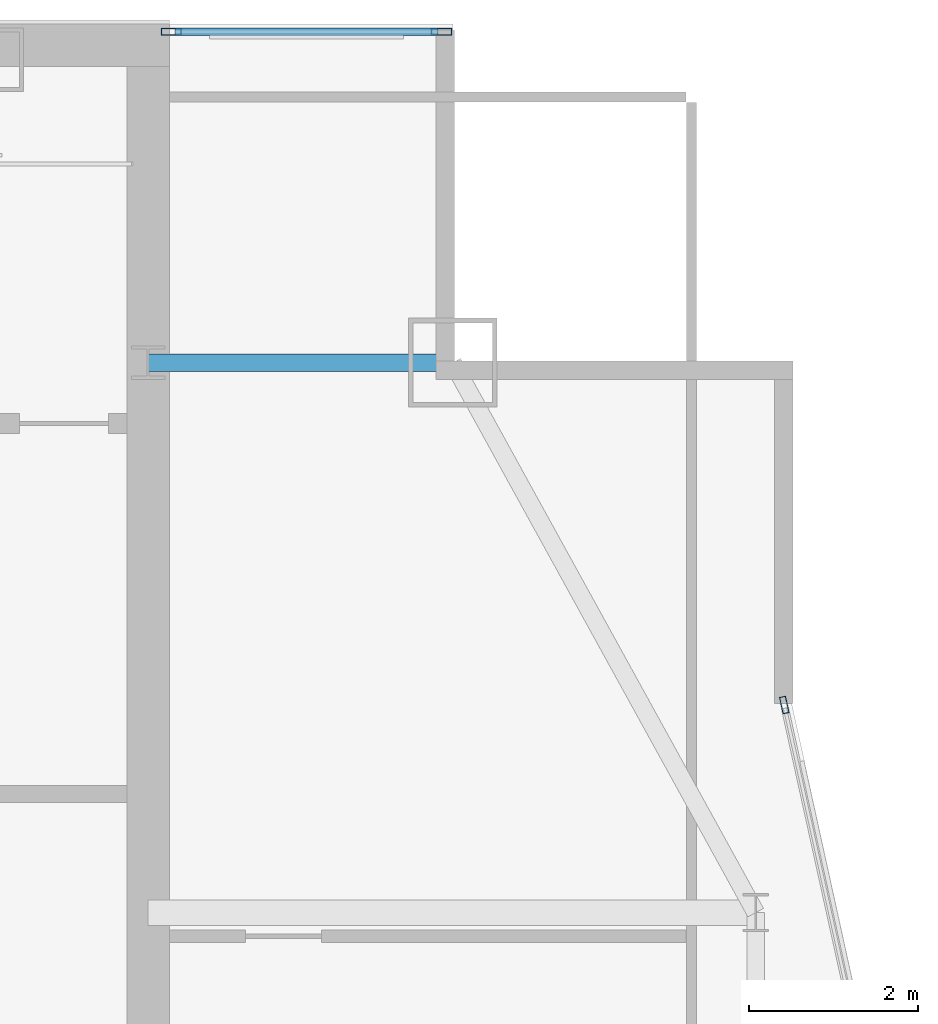
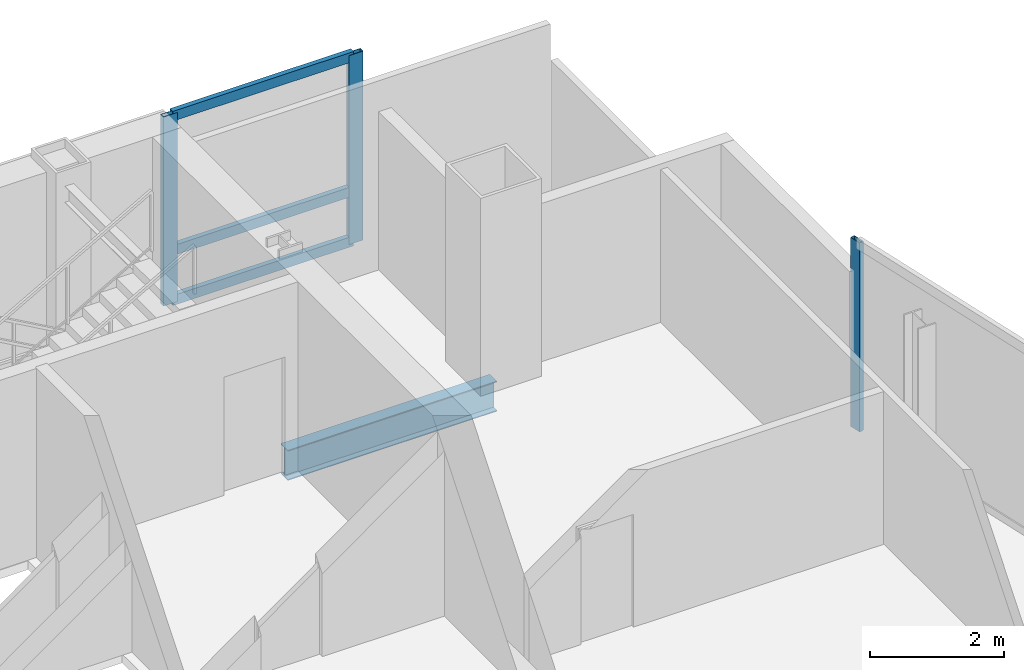
# One storey, part 23 of 30: 6 members, 1 beam, 2 elements without a shape of their own.
"""IFC4 building model written with IfcOpenShell, lengths in metres."""

from ifc_helpers import new_model, si_unit, direction, frame, origin, origin_2d, place, context, subcontext, project, spatial, hollow_rectangle, i_section, extrude, material, material_profile, profile_set, type_object, element, aggregate, save


model = new_model("IFC4")

# Units and contexts
model_context = context("Model", 3, precision=1e-05, world=origin(), true_north=direction((0.0, 1.0)))
body_context = subcontext(model_context, "Body", "Model", "MODEL_VIEW")
ifc_project = project(units=[si_unit("LENGTHUNIT", "METRE"), si_unit("AREAUNIT", "SQUARE_METRE"), si_unit("VOLUMEUNIT", "CUBIC_METRE"), si_unit("PLANEANGLEUNIT", "RADIAN"), si_unit("MASSUNIT", "GRAM", prefix="KILO")], contexts=[model_context])

# Site, building, storey
site_placement = place(None, origin())
site = spatial("IfcSite", under=ifc_project, at=site_placement, CompositionType="ELEMENT")
building_placement = place(site_placement, origin())
building = spatial("IfcBuilding", under=site, at=building_placement, Name="Khoronbel Lancet Exchange", CompositionType="ELEMENT")
storey_placement = place(building_placement, frame((0.0, 0.0, 269.800048828125)))
storey = spatial("IfcBuildingStorey", under=building, at=storey_placement, Name="L69", CompositionType="ELEMENT", Elevation=269.800048828125)

# Beam
ifc_material_1 = material(Name="Steel S355", Category="steel")
ifc_material_profile_1 = material_profile(ifc_material_1, i_section(OverallWidth=0.2099609375, OverallDepth=0.550048828125, WebThickness=0.010986328125, FlangeThickness=0.01708984375, at=origin_2d()), Name="IPE 550")
ifc_profile_set_1 = profile_set([ifc_material_profile_1], Name="Steel S355")
beam_type = type_object("IfcBeamType", Name="BM-BSP3", PredefinedType="SPANDREL", material=ifc_profile_set_1)
beam_placement = place(storey_placement, frame((60.050048828125, 49.699951171875, -0.43505859375), z_axis=(-1.0, 0.0, 0.0), x_axis=(0.0, -1.0, 0.0)))
element("IfcBeam", 1, at=beam_placement, inside=storey, type_object=beam_type, Name="Level L69 north flank tie spandrel SP23", PredefinedType="SPANDREL", context=body_context, shape_type="SweptSolid", body=[
    extrude(i_section(OverallWidth=0.2099609375, OverallDepth=0.550048828125, WebThickness=0.010986328125, FlangeThickness=0.01708984375, at=origin_2d()), origin(), (0.0, 0.0, 1.0), 3.60009765625),
])

# Curtain wall, members
ifc_material_2 = material(Name="Low-E Solar Control Insulating Glass", Category="glass")
curtain_wall_type_1 = type_object("IfcCurtainWallType", Name="CW-3", PredefinedType="NOTDEFINED", material=ifc_material_2)
curtain_wall_1_placement = place(storey_placement, origin())
curtain_wall_1 = element("IfcCurtainWall", 2, at=curtain_wall_1_placement, inside=storey, type_object=curtain_wall_type_1, Name="Unitised curtain wall CW-L69-NEFLK", PredefinedType="NOTDEFINED")
ifc_material_3 = material(Name="Bronze-Anodised Aluminium 6063-T6", Category="aluminium")
ifc_material_profile_2 = material_profile(ifc_material_3, hollow_rectangle(XDim=0.0849609375, YDim=0.239990234375, WallThickness=0.006103515625, at=origin_2d()), Name="ALU MULLION 85x240")
ifc_profile_set_2 = profile_set([ifc_material_profile_2], Name="Bronze-Anodised Aluminium 6063-T6")
member_type_1 = type_object("IfcMemberType", Name="MEM-CWM1", PredefinedType="MULLION", material=ifc_profile_set_2)
member_1_placement = place(storey_placement, frame((59.91748046875, 53.610107421875, 0.0), z_axis=(0.0, 0.0, 1.0), x_axis=(0.0, -1.0, 0.0)))
member_1 = element("IfcMember", 3, at=member_1_placement, type_object=member_type_1, Name="CW3 mullion 1", PredefinedType="MULLION", context=body_context, shape_type="SweptSolid", body=[
    extrude(hollow_rectangle(XDim=0.0849609375, YDim=0.239990234375, WallThickness=0.006103515625, at=origin_2d()), origin(), (0.0, 0.0, 1.0), 3.43994140625),
])
member_2_placement = place(storey_placement, frame((56.722412109375, 53.610107421875, 0.0), z_axis=(0.0, 0.0, 1.0), x_axis=(0.0, -1.0, 0.0)))
member_2 = element("IfcMember", 4, at=member_2_placement, type_object=member_type_1, Name="CW3 mullion 2", PredefinedType="MULLION", context=body_context, shape_type="SweptSolid", body=[
    extrude(hollow_rectangle(XDim=0.0849609375, YDim=0.239990234375, WallThickness=0.006103515625, at=origin_2d()), origin(), (0.0, 0.0, 1.0), 3.43994140625),
])

# Curtain wall, member
curtain_wall_type_2 = type_object("IfcCurtainWallType", Name="CW-4", PredefinedType="NOTDEFINED", material=ifc_material_2)
curtain_wall_2_placement = place(storey_placement, origin())
curtain_wall_2 = element("IfcCurtainWall", 5, at=curtain_wall_2_placement, inside=storey, type_object=curtain_wall_type_2, Name="Unitised curtain wall CW-L69-E17", PredefinedType="NOTDEFINED")
ifc_material_profile_3 = material_profile(ifc_material_3, hollow_rectangle(XDim=0.074951171875, YDim=0.199951171875, WallThickness=0.0048828125, at=origin_2d()), Name="ALU MULLION 75x200")
ifc_profile_set_3 = profile_set([ifc_material_profile_3], Name="Bronze-Anodised Aluminium 6063-T6")
member_type_2 = type_object("IfcMemberType", Name="MEM-CWM2", PredefinedType="MULLION", material=ifc_profile_set_3)
member_3_placement = place(storey_placement, frame((63.968017578125, 45.653564453125, 0.0), z_axis=(0.0, 0.0, 1.0), x_axis=(0.976565223192, 0.21522166446, 0.0)))
member_3 = element("IfcMember", 6, at=member_3_placement, type_object=member_type_2, Name="CW4 mullion 1", PredefinedType="MULLION", context=body_context, shape_type="SweptSolid", body=[
    extrude(hollow_rectangle(XDim=0.074951171875, YDim=0.199951171875, WallThickness=0.0048828125, at=origin_2d()), origin(), (0.0, 0.0, 1.0), 3.43994140625),
])
aggregate(curtain_wall_2, [member_3])

# Member
ifc_material_profile_4 = material_profile(ifc_material_3, hollow_rectangle(XDim=0.0849609375, YDim=0.179931640625, WallThickness=0.0048828125, at=origin_2d()), Name="ALU TRANSOM 85x180")
ifc_profile_set_4 = profile_set([ifc_material_profile_4], Name="Bronze-Anodised Aluminium 6063-T6")
member_type_3 = type_object("IfcMemberType", Name="MEM-CWT1", PredefinedType="USERDEFINED", material=ifc_profile_set_4)
member_4_placement = place(storey_placement, frame((59.875, 53.610107421875, 0.04248046875), z_axis=(-1.0, 0.0, 0.0), x_axis=(0.0, -1.0, 0.0)))
member_4 = element("IfcMember", 7, at=member_4_placement, type_object=member_type_3, Name="CW3 transom 1.1", ObjectType="TRANSOM", PredefinedType="USERDEFINED", context=body_context, shape_type="SweptSolid", body=[
    extrude(hollow_rectangle(XDim=0.0849609375, YDim=0.179931640625, WallThickness=0.0048828125, at=origin_2d()), origin(), (0.0, 0.0, 1.0), 3.110107421875),
])

member_5_placement = place(storey_placement, frame((59.875, 53.610107421875, 0.949951171875), z_axis=(-1.0, 0.0, 0.0), x_axis=(0.0, -1.0, 0.0)))
member_5 = element("IfcMember", 8, at=member_5_placement, type_object=member_type_3, Name="CW3 transom 1.2", ObjectType="TRANSOM", PredefinedType="USERDEFINED", context=body_context, shape_type="SweptSolid", body=[
    extrude(hollow_rectangle(XDim=0.0849609375, YDim=0.179931640625, WallThickness=0.0048828125, at=origin_2d()), origin(), (0.0, 0.0, 1.0), 3.110107421875),
])

member_6_placement = place(storey_placement, frame((59.875, 53.610107421875, 3.3974609375), z_axis=(-1.0, 0.0, 0.0), x_axis=(0.0, -1.0, 0.0)))
member_6 = element("IfcMember", 9, at=member_6_placement, type_object=member_type_3, Name="CW3 transom 1.3", ObjectType="TRANSOM", PredefinedType="USERDEFINED", context=body_context, shape_type="SweptSolid", body=[
    extrude(hollow_rectangle(XDim=0.0849609375, YDim=0.179931640625, WallThickness=0.0048828125, at=origin_2d()), origin(), (0.0, 0.0, 1.0), 3.110107421875),
])

aggregate(curtain_wall_1, [member_1, member_2, member_4, member_5, member_6])

save(model, "model.ifc")
